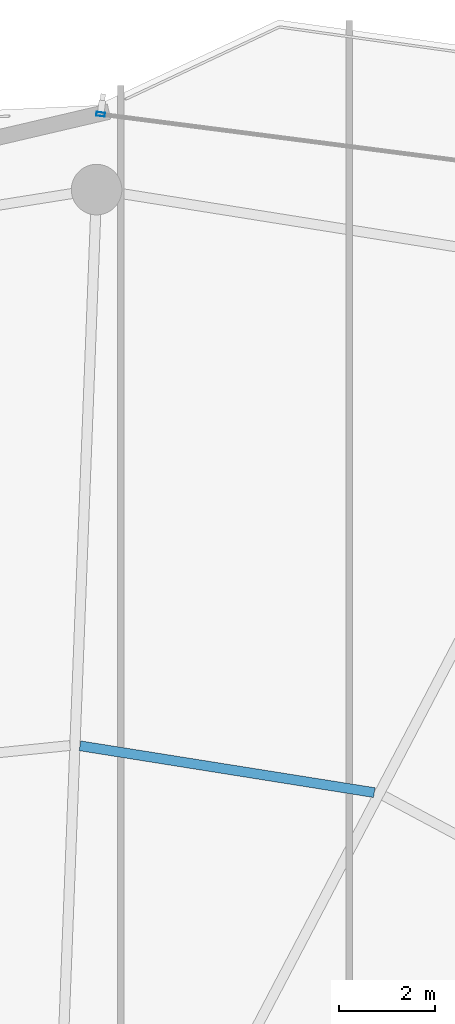
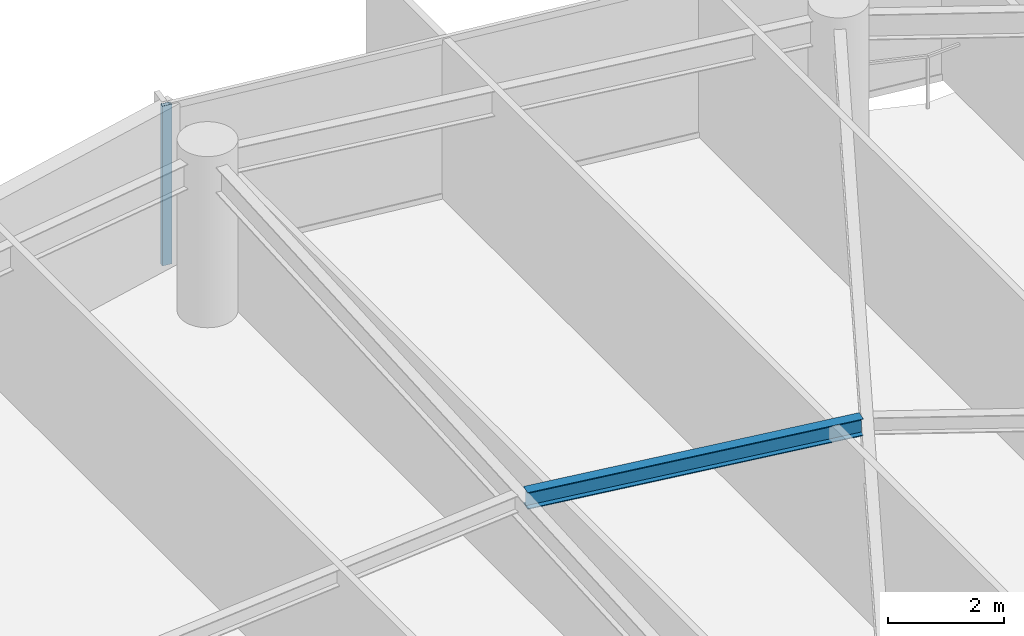
# One storey, part 20 of 31: 1 beam, 1 member, 1 element without a shape of its own.
"""IFC4 building model written with IfcOpenShell, lengths in metres."""

from ifc_helpers import new_model, si_unit, direction, frame, origin, origin_2d, place, context, subcontext, project, spatial, hollow_rectangle, i_section, extrude, material, layer, layer_set, material_profile, profile_set, type_object, element, aggregate, save


model = new_model("IFC4")

# Units and contexts
model_context = context("Model", 3, precision=1e-05, world=origin(), true_north=direction((0.0, 1.0)))
body_context = subcontext(model_context, "Body", "Model", "MODEL_VIEW")
ifc_project = project(units=[si_unit("LENGTHUNIT", "METRE"), si_unit("AREAUNIT", "SQUARE_METRE"), si_unit("VOLUMEUNIT", "CUBIC_METRE"), si_unit("PLANEANGLEUNIT", "RADIAN"), si_unit("MASSUNIT", "GRAM", prefix="KILO")], contexts=[model_context])

# Site, building, storey
site_placement = place(None, origin())
site = spatial("IfcSite", under=ifc_project, at=site_placement, CompositionType="ELEMENT")
building_placement = place(site_placement, origin())
building = spatial("IfcBuilding", under=site, at=building_placement, Name="Kazevale Care Tower and Concert Hall", CompositionType="ELEMENT")
storey_placement = place(building_placement, frame((0.0, 0.0, 206.39990234375)))
storey = spatial("IfcBuildingStorey", under=building, at=storey_placement, Name="L54", CompositionType="ELEMENT", Elevation=206.39990234375)

# Curtain wall, member
ifc_material_1 = material(Name="Aluminium 6063-T6 and Low-E Glass", Category="aluminium")
ifc_layer = layer(ifc_material_1, 0.179931640625)
ifc_layer_set = layer_set([ifc_layer], Name="Aluminium 6063-T6 and Low-E Glass")
curtain_wall_type = type_object("IfcCurtainWallType", Name="Waist & Upper Residential Curtain Wall CW-4", PredefinedType="NOTDEFINED", material=ifc_layer_set)
curtain_wall_placement = place(storey_placement, origin())
curtain_wall = element("IfcCurtainWall", 1, at=curtain_wall_placement, inside=storey, type_object=curtain_wall_type, Name="cw:L54:f16", PredefinedType="NOTDEFINED")
ifc_material_2 = material(Name="Aluminium 6063-T6", Category="aluminium")
ifc_material_profile_1 = material_profile(ifc_material_2, hollow_rectangle(XDim=0.080078125, YDim=0.179931640625, WallThickness=0.0048828125, at=origin_2d()), Name="ALU80x180x5")
ifc_profile_set_1 = profile_set([ifc_material_profile_1], Name="Aluminium 6063-T6")
member_type = type_object("IfcMemberType", Name="CW-4 Mullion ALU80x180x5", PredefinedType="MULLION", material=ifc_profile_set_1)
member_placement = place(storey_placement, frame((45.083740234375, 63.616943359375, 0.0), z_axis=(0.0, 0.0, 1.0), x_axis=(0.128098132904, 0.991761497713, 0.0)))
member = element("IfcMember", 2, at=member_placement, type_object=member_type, Name="CW-4 mullion 1", PredefinedType="MULLION", context=body_context, shape_type="SweptSolid", body=[
    extrude(hollow_rectangle(XDim=0.080078125, YDim=0.179931640625, WallThickness=0.0048828125, at=origin_2d()), origin(), (0.0, 0.0, 1.0), 3.360107421875),
])
aggregate(curtain_wall, [member])

# Beam
ifc_material_3 = material(Name="Steel ASTM A572 Gr 50", Category="steel")
ifc_material_profile_2 = material_profile(ifc_material_3, i_section(OverallWidth=0.205078125, OverallDepth=0.35400390625, WebThickness=0.009521484375, FlangeThickness=0.016845703125, at=origin_2d()), Name="W360x79")
ifc_profile_set_2 = profile_set([ifc_material_profile_2], Name="Steel ASTM A572 Gr 50")
beam_type = type_object("IfcBeamType", Name="Secondary Floor Joist W360x79", PredefinedType="JOIST", material=ifc_profile_set_2)
beam_placement = place(storey_placement, frame((50.77099609375, 49.51806640625, 3.18310546875), z_axis=(-0.987586560603, 0.157075731152, 0.0), x_axis=(-0.157075731152, -0.987586560603, 0.0)))
element("IfcBeam", 3, at=beam_placement, inside=storey, type_object=beam_type, Name="beam:L54:joist:04", PredefinedType="JOIST", context=body_context, shape_type="SweptSolid", body=[
    extrude(i_section(OverallWidth=0.205078125, OverallDepth=0.35400390625, WebThickness=0.009521484375, FlangeThickness=0.016845703125, at=origin_2d()), origin(), (0.0, 0.0, 1.0), 6.19384765625),
])

save(model, "model.ifc")
